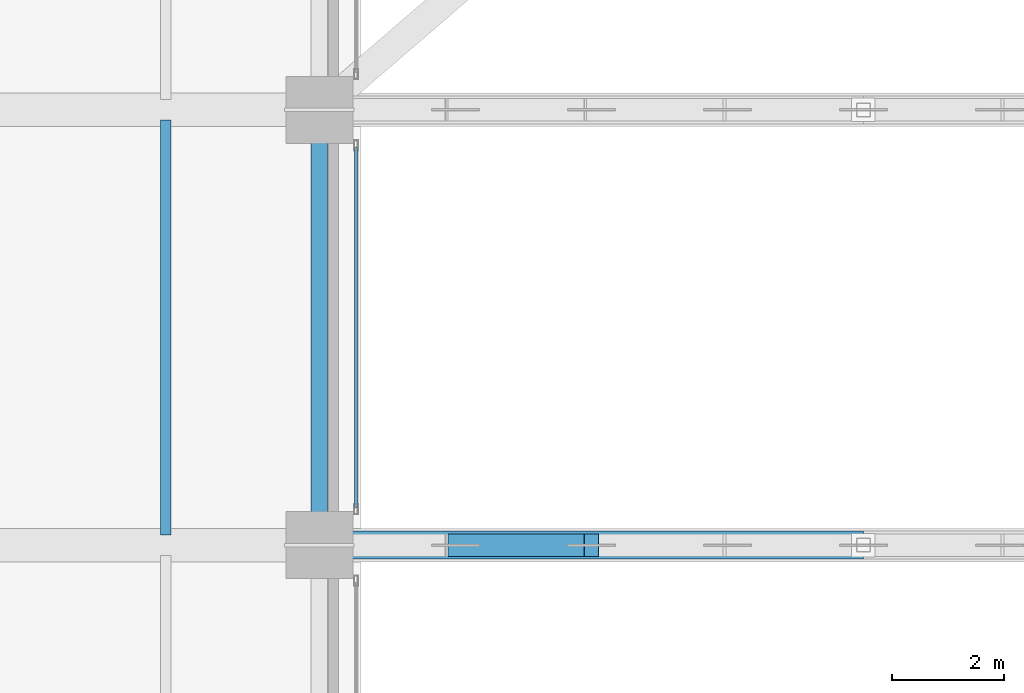
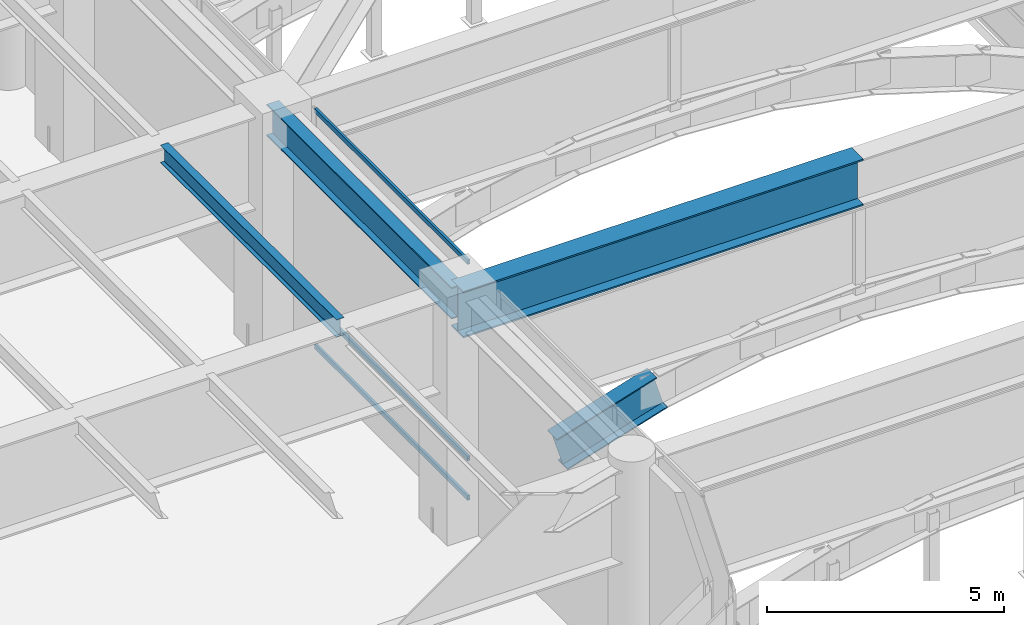
# One storey, part 10 of 50: 4 beams, 3 members, 1 element without a shape of its own.
"""IFC4 building model written with IfcOpenShell, lengths in metres."""

from ifc_helpers import new_model, si_unit, direction, frame, origin, origin_2d, place, context, subcontext, project, spatial, hollow_rectangle, i_section, extrude, source, transform, mapped, material, layer, layer_set, material_profile, profile_set, type_object, type_shapes, element, aggregate, save


model = new_model("IFC4")

# Units and contexts
model_context = context("Model", 3, precision=1e-05, world=origin(), true_north=direction((0.0, 1.0)))
body_context = subcontext(model_context, "Body", "Model", "MODEL_VIEW")
ifc_project = project(units=[si_unit("LENGTHUNIT", "METRE"), si_unit("AREAUNIT", "SQUARE_METRE"), si_unit("VOLUMEUNIT", "CUBIC_METRE"), si_unit("PLANEANGLEUNIT", "RADIAN"), si_unit("MASSUNIT", "GRAM", prefix="KILO")], contexts=[model_context])

# Site, building, storey
site_placement = place(None, origin())
site = spatial("IfcSite", under=ifc_project, at=site_placement, CompositionType="ELEMENT")
building_placement = place(site_placement, origin())
building = spatial("IfcBuilding", under=site, at=building_placement, Name="Tolvann Quenvar Hotel", CompositionType="ELEMENT")
storey_placement = place(building_placement, frame((0.0, 0.0, 16.0)))
storey = spatial("IfcBuildingStorey", under=building, at=storey_placement, Name="L03", CompositionType="ELEMENT", Elevation=16.0)

# Beams
ifc_material_1 = material(Name="Steel Grade 350", Category="steel")
ifc_material_profile_1 = material_profile(ifc_material_1, i_section(OverallWidth=0.300048828125, OverallDepth=0.81591796875, WebThickness=0.010009765625, FlangeThickness=0.028076171875, at=origin_2d()), Name="800WB192")
ifc_profile_set_1 = profile_set([ifc_material_profile_1], Name="Steel Grade 350")
beam_type_1 = type_object("IfcBeamType", Name="BM_GIRD_800WB192", PredefinedType="BEAM", material=ifc_profile_set_1)
shared_shape_1 = source(origin(), body_context, "Body", "SweptSolid", [
    extrude(i_section(OverallWidth=0.300048828125, OverallDepth=0.81591796875, WebThickness=0.010009765625, FlangeThickness=0.028076171875, at=origin_2d()), origin(), (0.0, 0.0, 1.0), 7.800048828125),
])
type_shapes(beam_type_1, [shared_shape_1])
beam_1_placement = place(storey_placement, frame((18.75, 8.199951171875, 5.73193359375), z_axis=(0.0, 1.0, 0.0), x_axis=(-1.0, 0.0, 0.0)))
element("IfcBeam", 1, at=beam_1_placement, inside=storey, type_object=beam_type_1, Name="BM-L03-NS-APW-1", PredefinedType="BEAM", context=body_context, shape_type="MappedRepresentation", body=[
    mapped(shared_shape_1, transform((0.0, 0.0, 0.0), x_axis=(1.0, 0.0, 0.0), y_axis=(0.0, 1.0, 0.0), z_axis=(0.0, 0.0, 1.0), scale=1.0)),
])
ifc_material_profile_2 = material_profile(ifc_material_1, i_section(OverallWidth=0.5, OverallDepth=1.199951171875, WebThickness=0.01611328125, FlangeThickness=0.0400390625, at=origin_2d()), Name="1200WB455")
ifc_profile_set_2 = profile_set([ifc_material_profile_2], Name="Steel Grade 350")
beam_type_2 = type_object("IfcBeamType", Name="BM_TG_1200WB455", PredefinedType="USERDEFINED", material=ifc_profile_set_2)
shared_shape_2 = source(origin(), body_context, "Body", "SweptSolid", [
    extrude(i_section(OverallWidth=0.5, OverallDepth=1.199951171875, WebThickness=0.01611328125, FlangeThickness=0.0400390625, at=origin_2d()), origin(), (0.0, 0.0, 1.0), 9.75),
])
type_shapes(beam_type_2, [shared_shape_2])
beam_2_placement = place(storey_placement, frame((18.75, 8.199951171875, 5.5400390625), z_axis=(1.0, 0.0, 0.0), x_axis=(0.0, 1.0, 0.0)))
element("IfcBeam", 2, at=beam_2_placement, inside=storey, type_object=beam_type_2, Name="TG-AUTO1-L03-PARCH2-2", ObjectType="TRANSFER GIRDER", PredefinedType="USERDEFINED", context=body_context, shape_type="MappedRepresentation", body=[
    mapped(shared_shape_2, transform((0.0, 0.0, 0.0), x_axis=(1.0, 0.0, 0.0), y_axis=(0.0, 1.0, 0.0), z_axis=(0.0, 0.0, 1.0), scale=1.0)),
])
ifc_material_profile_3 = material_profile(ifc_material_1, i_section(OverallWidth=0.18994140625, OverallDepth=0.4541015625, WebThickness=0.008544921875, FlangeThickness=0.0126953125, FilletRadius=0.011474609375, at=origin_2d()), Name="460UB67")
ifc_profile_set_3 = profile_set([ifc_material_profile_3], Name="Steel Grade 350")
beam_type_3 = type_object("IfcBeamType", Name="BM_JOIST_460UB67", PredefinedType="JOIST", material=ifc_profile_set_3)
shared_shape_3 = source(origin(), body_context, "Body", "SweptSolid", [
    extrude(i_section(OverallWidth=0.18994140625, OverallDepth=0.4541015625, WebThickness=0.008544921875, FlangeThickness=0.0126953125, FilletRadius=0.011474609375, at=origin_2d()), origin(), (0.0, 0.0, 1.0), 7.429931640625),
])
type_shapes(beam_type_3, [shared_shape_3])
beam_3_placement = place(storey_placement, frame((16.0, 8.385009765625, 5.9130859375), z_axis=(0.0, 1.0, 0.0), x_axis=(-1.0, 0.0, 0.0)))
element("IfcBeam", 3, at=beam_3_placement, inside=storey, type_object=beam_type_3, Name="BJ-L03-160-82", PredefinedType="JOIST", context=body_context, shape_type="MappedRepresentation", body=[
    mapped(shared_shape_3, transform((0.0, 0.0, 0.0), x_axis=(1.0, 0.0, 0.0), y_axis=(0.0, 1.0, 0.0), z_axis=(0.0, 0.0, 1.0), scale=1.0)),
])
ifc_material_profile_4 = material_profile(ifc_material_1, i_section(OverallWidth=0.39990234375, OverallDepth=0.916015625, WebThickness=0.011962890625, FlangeThickness=0.028076171875, at=origin_2d()), Name="900WB257")
ifc_profile_set_4 = profile_set([ifc_material_profile_4], Name="Steel Grade 350")
beam_type_4 = type_object("IfcBeamType", Name="BM_ARCH_900WB257", PredefinedType="USERDEFINED", material=ifc_profile_set_4)
shared_shape_4 = source(origin(), body_context, "Body", "SweptSolid", [
    extrude(i_section(OverallWidth=0.39990234375, OverallDepth=0.916015625, WebThickness=0.011962890625, FlangeThickness=0.028076171875, at=origin_2d()), origin(), (0.0, 0.0, 1.0), 2.55029296875),
])
type_shapes(beam_type_4, [shared_shape_4])
beam_4_placement = place(storey_placement, frame((21.1875, 8.199951171875, 1.050048828125), z_axis=(0.955779008722, 0.0, 0.294085848838), x_axis=(0.0, 1.0, 0.0)))
element("IfcBeam", 4, at=beam_4_placement, inside=storey, type_object=beam_type_4, Name="Podium Parabolic Arch Rib F2-S2", ObjectType="ARCH RIB", PredefinedType="USERDEFINED", context=body_context, shape_type="MappedRepresentation", body=[
    mapped(shared_shape_4, transform((0.0, 0.0, 0.0), x_axis=(1.0, 0.0, 0.0), y_axis=(0.0, 1.0, 0.0), z_axis=(0.0, 0.0, 1.0), scale=1.0)),
])

# Curtain wall, members
ifc_material_2 = material(Name="Thermally broken anodised architectural aluminium 6063-T6 and laminated low-E glass", Category="aluminium")
ifc_layer = layer(ifc_material_2, 0.179931640625)
ifc_layer_set = layer_set([ifc_layer], Name="Thermally broken anodised architectural aluminium 6063-T6 and laminated low-E glass")
curtain_wall_type = type_object("IfcCurtainWallType", Name="CW_SYS_ARCH_01", PredefinedType="USERDEFINED", material=ifc_layer_set)
curtain_wall_placement = place(storey_placement, origin())
curtain_wall = element("IfcCurtainWall", 5, at=curtain_wall_placement, inside=storey, type_object=curtain_wall_type, Name="Curtain Wall CW-ARCH-01 (CWR-L03-E01-S2)", ObjectType="UNITISED CURTAIN WALL", PredefinedType="USERDEFINED")
ifc_material_3 = material(Name="Anodised architectural aluminium 6063-T6 framing", Category="aluminium")
ifc_material_profile_5 = material_profile(ifc_material_3, hollow_rectangle(XDim=0.06005859375, YDim=0.1201171875, WallThickness=0.00341796875, at=origin_2d()), Name="120x60x3.5RHS")
ifc_profile_set_5 = profile_set([ifc_material_profile_5], Name="Anodised architectural aluminium 6063-T6 framing")
member_type = type_object("IfcMemberType", Name="CW_TRAN_120x60", PredefinedType="USERDEFINED", material=ifc_profile_set_5)
shared_shape_5 = source(origin(), body_context, "Body", "SweptSolid", [
    extrude(hollow_rectangle(XDim=0.06005859375, YDim=0.1201171875, WallThickness=0.00341796875, at=origin_2d()), origin(), (0.0, 0.0, 1.0), 6.451904296875),
])
type_shapes(member_type, [shared_shape_5])
member_1_placement = place(storey_placement, frame((19.409912109375, 8.8740234375, 0.030029296875), z_axis=(0.0, 1.0, 0.0), x_axis=(-1.0, 0.0, 0.0)))
member_1 = element("IfcMember", 6, at=member_1_placement, type_object=member_type, Name="CW-ARCH-01 transom 1.1", ObjectType="TRANSOM", PredefinedType="USERDEFINED", context=body_context, shape_type="MappedRepresentation", body=[
    mapped(shared_shape_5, transform((0.0, 0.0, 0.0), x_axis=(1.0, 0.0, 0.0), y_axis=(0.0, 1.0, 0.0), z_axis=(0.0, 0.0, 1.0), scale=1.0)),
])
member_2_placement = place(storey_placement, frame((19.409912109375, 8.8740234375, 1.050048828125), z_axis=(0.0, 1.0, 0.0), x_axis=(-1.0, 0.0, 0.0)))
member_2 = element("IfcMember", 7, at=member_2_placement, type_object=member_type, Name="CW-ARCH-01 transom 1.2", ObjectType="TRANSOM", PredefinedType="USERDEFINED", context=body_context, shape_type="MappedRepresentation", body=[
    mapped(shared_shape_5, transform((0.0, 0.0, 0.0), x_axis=(1.0, 0.0, 0.0), y_axis=(0.0, 1.0, 0.0), z_axis=(0.0, 0.0, 1.0), scale=1.0)),
])
member_3_placement = place(storey_placement, frame((19.409912109375, 8.8740234375, 6.110107421875), z_axis=(0.0, 1.0, 0.0), x_axis=(-1.0, 0.0, 0.0)))
member_3 = element("IfcMember", 8, at=member_3_placement, type_object=member_type, Name="CW-ARCH-01 transom 1.3", ObjectType="TRANSOM", PredefinedType="USERDEFINED", context=body_context, shape_type="MappedRepresentation", body=[
    mapped(shared_shape_5, transform((0.0, 0.0, 0.0), x_axis=(1.0, 0.0, 0.0), y_axis=(0.0, 1.0, 0.0), z_axis=(0.0, 0.0, 1.0), scale=1.0)),
])
aggregate(curtain_wall, [member_1, member_2, member_3])

save(model, "model.ifc")
